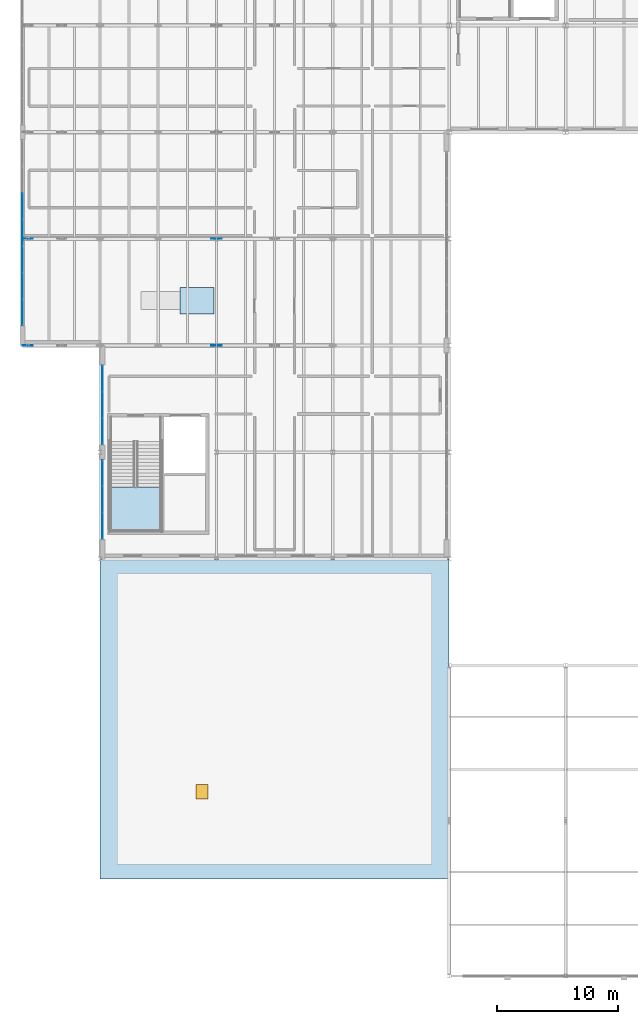
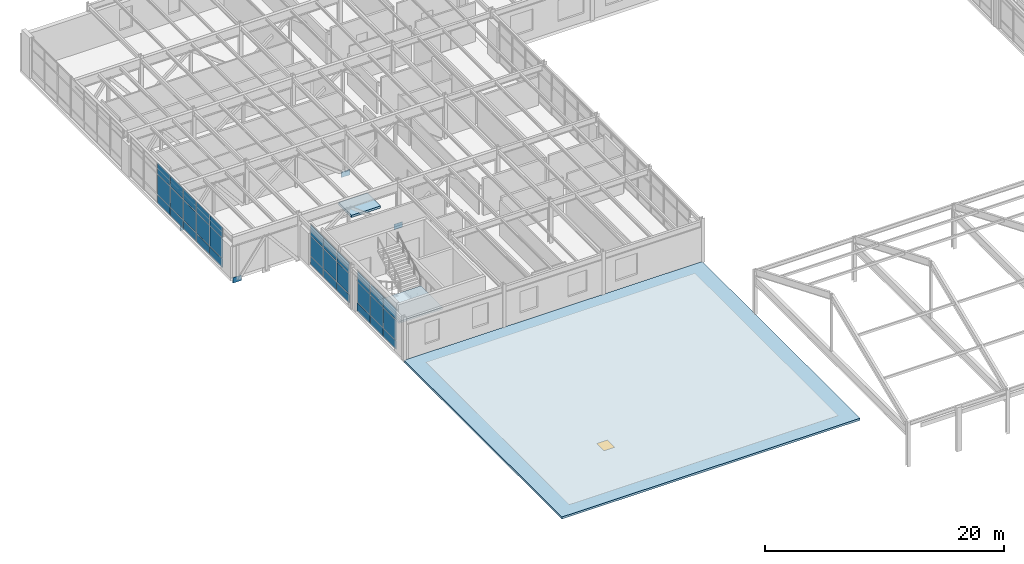
# One storey, part 49 of 88: 37 plates, 3 slabs, 1 door, 1 opening, 4 elements without a shape of their own.
"""IFC4 building model written with IfcOpenShell, lengths in metres."""

from ifc_helpers import new_model, si_unit, direction, frame, origin, origin_2d, place, context, subcontext, project, spatial, polyline, rectangle, outline, extrude, material, layer, layer_set, type_object, element, fill, aggregate, save


model = new_model("IFC4")

# Units and contexts
model_context = context("Model", 3, precision=1e-05, world=origin(), true_north=direction((0.0, 1.0)))
body_context = subcontext(model_context, "Body", "Model", "MODEL_VIEW")
ifc_project = project(units=[si_unit("LENGTHUNIT", "METRE"), si_unit("AREAUNIT", "SQUARE_METRE"), si_unit("VOLUMEUNIT", "CUBIC_METRE"), si_unit("PLANEANGLEUNIT", "RADIAN"), si_unit("MASSUNIT", "GRAM", prefix="KILO")], contexts=[model_context])

# Site, building, storey
site_placement = place(None, origin())
site = spatial("IfcSite", under=ifc_project, at=site_placement, CompositionType="ELEMENT")
building_placement = place(site_placement, origin())
building = spatial("IfcBuilding", under=site, at=building_placement, Name="Sarnbrook Museum", CompositionType="ELEMENT")
storey_placement = place(building_placement, frame((0.0, 0.0, 10.10009765625)))
storey = spatial("IfcBuildingStorey", under=building, at=storey_placement, Name="L02", CompositionType="ELEMENT", Elevation=10.10009765625)

# Curtain wall, plates
ifc_material_1 = material(Name="Thermally Broken Anodised Aluminium 6063-T6", Category="aluminium")
curtain_wall_type = type_object("IfcCurtainWallType", Name="CurtainWall_GalleryRibbon", PredefinedType="NOTDEFINED", material=ifc_material_1)
curtain_wall_1_placement = place(storey_placement, origin())
curtain_wall_1 = element("IfcCurtainWall", 1, at=curtain_wall_1_placement, inside=storey, type_object=curtain_wall_type, Name="Gallery Ribbon Curtain Wall L02-8.2", PredefinedType="NOTDEFINED")
ifc_material_2 = material(Name="Double-Glazed Low-Iron Laminated Safety Glass", Category="glass")
ifc_layer_1 = layer(ifc_material_2, 0.031982421875)
ifc_layer_set_1 = layer_set([ifc_layer_1], Name="Double-Glazed Low-Iron Laminated Safety Glass")
plate_type_1 = type_object("IfcPlateType", Name="CW_GlazedPanel_32", PredefinedType="CURTAIN_PANEL", material=ifc_layer_set_1)
plate_1_placement = place(storey_placement, frame((7.2177734375, 68.294189453125, 1.949951171875), z_axis=(-1.0, 0.0, 0.0), x_axis=(0.0, -1.0, 0.0)))
plate_1 = element("IfcPlate", 2, at=plate_1_placement, type_object=plate_type_1, Name="Gallery Ribbon Curtain Wall L02-8.2 Glazed Panel 3-2", PredefinedType="CURTAIN_PANEL", context=body_context, shape_type="SweptSolid", body=[
    extrude(rectangle(XDim=2.119384765625, YDim=2.030029296875, at=origin_2d()), origin(), (0.0, 0.0, 1.0), 0.031982421875),
])
plate_2_placement = place(storey_placement, frame((7.2177734375, 68.294189453125, 3.579833984375), z_axis=(-1.0, 0.0, 0.0), x_axis=(0.0, -1.0, 0.0)))
plate_2 = element("IfcPlate", 3, at=plate_2_placement, type_object=plate_type_1, Name="Gallery Ribbon Curtain Wall L02-8.2 Glazed Panel 3-3", PredefinedType="CURTAIN_PANEL", context=body_context, shape_type="SweptSolid", body=[
    extrude(rectangle(XDim=2.119384765625, YDim=1.090087890625, at=origin_2d()), origin(), (0.0, 0.0, 1.0), 0.031982421875),
])
plate_3_placement = place(storey_placement, frame((7.2177734375, 66.10009765625, 1.949951171875), z_axis=(-1.0, 0.0, 0.0), x_axis=(0.0, -1.0, 0.0)))
plate_3 = element("IfcPlate", 4, at=plate_3_placement, type_object=plate_type_1, Name="Gallery Ribbon Curtain Wall L02-8.2 Glazed Panel 4-2", PredefinedType="CURTAIN_PANEL", context=body_context, shape_type="SweptSolid", body=[
    extrude(rectangle(XDim=2.119384765625, YDim=2.030029296875, at=origin_2d()), origin(), (0.0, 0.0, 1.0), 0.031982421875),
])
plate_4_placement = place(storey_placement, frame((7.2177734375, 66.10009765625, 3.579833984375), z_axis=(-1.0, 0.0, 0.0), x_axis=(0.0, -1.0, 0.0)))
plate_4 = element("IfcPlate", 5, at=plate_4_placement, type_object=plate_type_1, Name="Gallery Ribbon Curtain Wall L02-8.2 Glazed Panel 4-3", PredefinedType="CURTAIN_PANEL", context=body_context, shape_type="SweptSolid", body=[
    extrude(rectangle(XDim=2.119384765625, YDim=1.090087890625, at=origin_2d()), origin(), (0.0, 0.0, 1.0), 0.031982421875),
])
plate_5_placement = place(storey_placement, frame((7.2177734375, 63.90576171875, 1.949951171875), z_axis=(-1.0, 0.0, 0.0), x_axis=(0.0, -1.0, 0.0)))
plate_5 = element("IfcPlate", 6, at=plate_5_placement, type_object=plate_type_1, Name="Gallery Ribbon Curtain Wall L02-8.2 Glazed Panel 5-2", PredefinedType="CURTAIN_PANEL", context=body_context, shape_type="SweptSolid", body=[
    extrude(rectangle(XDim=2.119384765625, YDim=2.030029296875, at=origin_2d()), origin(), (0.0, 0.0, 1.0), 0.031982421875),
])
plate_6_placement = place(storey_placement, frame((7.2177734375, 63.90576171875, 3.579833984375), z_axis=(-1.0, 0.0, 0.0), x_axis=(0.0, -1.0, 0.0)))
plate_6 = element("IfcPlate", 7, at=plate_6_placement, type_object=plate_type_1, Name="Gallery Ribbon Curtain Wall L02-8.2 Glazed Panel 5-3", PredefinedType="CURTAIN_PANEL", context=body_context, shape_type="SweptSolid", body=[
    extrude(rectangle(XDim=2.119384765625, YDim=1.090087890625, at=origin_2d()), origin(), (0.0, 0.0, 1.0), 0.031982421875),
])
plate_7_placement = place(storey_placement, frame((7.2177734375, 61.71142578125, 1.949951171875), z_axis=(-1.0, 0.0, 0.0), x_axis=(0.0, -1.0, 0.0)))
plate_7 = element("IfcPlate", 8, at=plate_7_placement, type_object=plate_type_1, Name="Gallery Ribbon Curtain Wall L02-8.2 Glazed Panel 6-2", PredefinedType="CURTAIN_PANEL", context=body_context, shape_type="SweptSolid", body=[
    extrude(rectangle(XDim=2.119384765625, YDim=2.030029296875, at=origin_2d()), origin(), (0.0, 0.0, 1.0), 0.031982421875),
])
plate_8_placement = place(storey_placement, frame((7.2177734375, 61.71142578125, 3.579833984375), z_axis=(-1.0, 0.0, 0.0), x_axis=(0.0, -1.0, 0.0)))
plate_8 = element("IfcPlate", 9, at=plate_8_placement, type_object=plate_type_1, Name="Gallery Ribbon Curtain Wall L02-8.2 Glazed Panel 6-3", PredefinedType="CURTAIN_PANEL", context=body_context, shape_type="SweptSolid", body=[
    extrude(rectangle(XDim=2.119384765625, YDim=1.090087890625, at=origin_2d()), origin(), (0.0, 0.0, 1.0), 0.031982421875),
])
plate_9_placement = place(storey_placement, frame((7.2177734375, 59.51708984375, 1.949951171875), z_axis=(-1.0, 0.0, 0.0), x_axis=(0.0, -1.0, 0.0)))
plate_9 = element("IfcPlate", 10, at=plate_9_placement, type_object=plate_type_1, Name="Gallery Ribbon Curtain Wall L02-8.2 Glazed Panel 7-2", PredefinedType="CURTAIN_PANEL", context=body_context, shape_type="SweptSolid", body=[
    extrude(rectangle(XDim=2.119384765625, YDim=2.030029296875, at=origin_2d()), origin(), (0.0, 0.0, 1.0), 0.031982421875),
])
plate_10_placement = place(storey_placement, frame((7.2177734375, 59.51708984375, 3.579833984375), z_axis=(-1.0, 0.0, 0.0), x_axis=(0.0, -1.0, 0.0)))
plate_10 = element("IfcPlate", 11, at=plate_10_placement, type_object=plate_type_1, Name="Gallery Ribbon Curtain Wall L02-8.2 Glazed Panel 7-3", PredefinedType="CURTAIN_PANEL", context=body_context, shape_type="SweptSolid", body=[
    extrude(rectangle(XDim=2.119384765625, YDim=1.090087890625, at=origin_2d()), origin(), (0.0, 0.0, 1.0), 0.031982421875),
])

curtain_wall_2_placement = place(storey_placement, origin())
curtain_wall_2 = element("IfcCurtainWall", 12, at=curtain_wall_2_placement, inside=storey, type_object=curtain_wall_type, Name="Gallery Ribbon Curtain Wall L02-10.1", PredefinedType="NOTDEFINED")
plate_11_placement = place(storey_placement, frame((13.81787109375, 54.086669921875, 1.949951171875), z_axis=(-1.0, 0.0, 0.0), x_axis=(0.0, -1.0, 0.0)))
plate_11 = element("IfcPlate", 13, at=plate_11_placement, type_object=plate_type_1, Name="Gallery Ribbon Curtain Wall L02-10.1 Glazed Panel 1-2", PredefinedType="CURTAIN_PANEL", context=body_context, shape_type="SweptSolid", body=[
    extrude(rectangle(XDim=2.11181640625, YDim=2.030029296875, at=origin_2d()), origin(), (0.0, 0.0, 1.0), 0.031982421875),
])
plate_12_placement = place(storey_placement, frame((13.81787109375, 54.086669921875, 3.579833984375), z_axis=(-1.0, 0.0, 0.0), x_axis=(0.0, -1.0, 0.0)))
plate_12 = element("IfcPlate", 14, at=plate_12_placement, type_object=plate_type_1, Name="Gallery Ribbon Curtain Wall L02-10.1 Glazed Panel 1-3", PredefinedType="CURTAIN_PANEL", context=body_context, shape_type="SweptSolid", body=[
    extrude(rectangle(XDim=2.11181640625, YDim=1.090087890625, at=origin_2d()), origin(), (0.0, 0.0, 1.0), 0.031982421875),
])
plate_13_placement = place(storey_placement, frame((13.81787109375, 51.89990234375, 1.949951171875), z_axis=(-1.0, 0.0, 0.0), x_axis=(0.0, -1.0, 0.0)))
plate_13 = element("IfcPlate", 15, at=plate_13_placement, type_object=plate_type_1, Name="Gallery Ribbon Curtain Wall L02-10.1 Glazed Panel 2-2", PredefinedType="CURTAIN_PANEL", context=body_context, shape_type="SweptSolid", body=[
    extrude(rectangle(XDim=2.11181640625, YDim=2.030029296875, at=origin_2d()), origin(), (0.0, 0.0, 1.0), 0.031982421875),
])
plate_14_placement = place(storey_placement, frame((13.81787109375, 51.89990234375, 3.579833984375), z_axis=(-1.0, 0.0, 0.0), x_axis=(0.0, -1.0, 0.0)))
plate_14 = element("IfcPlate", 16, at=plate_14_placement, type_object=plate_type_1, Name="Gallery Ribbon Curtain Wall L02-10.1 Glazed Panel 2-3", PredefinedType="CURTAIN_PANEL", context=body_context, shape_type="SweptSolid", body=[
    extrude(rectangle(XDim=2.11181640625, YDim=1.090087890625, at=origin_2d()), origin(), (0.0, 0.0, 1.0), 0.031982421875),
])
plate_15_placement = place(storey_placement, frame((13.81787109375, 49.71337890625, 1.949951171875), z_axis=(-1.0, 0.0, 0.0), x_axis=(0.0, -1.0, 0.0)))
plate_15 = element("IfcPlate", 17, at=plate_15_placement, type_object=plate_type_1, Name="Gallery Ribbon Curtain Wall L02-10.1 Glazed Panel 3-2", PredefinedType="CURTAIN_PANEL", context=body_context, shape_type="SweptSolid", body=[
    extrude(rectangle(XDim=2.11181640625, YDim=2.030029296875, at=origin_2d()), origin(), (0.0, 0.0, 1.0), 0.031982421875),
])
plate_16_placement = place(storey_placement, frame((13.81787109375, 49.71337890625, 3.579833984375), z_axis=(-1.0, 0.0, 0.0), x_axis=(0.0, -1.0, 0.0)))
plate_16 = element("IfcPlate", 18, at=plate_16_placement, type_object=plate_type_1, Name="Gallery Ribbon Curtain Wall L02-10.1 Glazed Panel 3-3", PredefinedType="CURTAIN_PANEL", context=body_context, shape_type="SweptSolid", body=[
    extrude(rectangle(XDim=2.11181640625, YDim=1.090087890625, at=origin_2d()), origin(), (0.0, 0.0, 1.0), 0.031982421875),
])

curtain_wall_3_placement = place(storey_placement, origin())
curtain_wall_3 = element("IfcCurtainWall", 19, at=curtain_wall_3_placement, inside=storey, type_object=curtain_wall_type, Name="Gallery Ribbon Curtain Wall L02-10.2", PredefinedType="NOTDEFINED")
plate_17_placement = place(storey_placement, frame((13.81787109375, 46.28662109375, 1.949951171875), z_axis=(-1.0, 0.0, 0.0), x_axis=(0.0, -1.0, 0.0)))
plate_17 = element("IfcPlate", 20, at=plate_17_placement, type_object=plate_type_1, Name="Gallery Ribbon Curtain Wall L02-10.2 Glazed Panel 1-2", PredefinedType="CURTAIN_PANEL", context=body_context, shape_type="SweptSolid", body=[
    extrude(rectangle(XDim=2.11181640625, YDim=2.030029296875, at=origin_2d()), origin(), (0.0, 0.0, 1.0), 0.031982421875),
])
plate_18_placement = place(storey_placement, frame((13.81787109375, 46.28662109375, 3.579833984375), z_axis=(-1.0, 0.0, 0.0), x_axis=(0.0, -1.0, 0.0)))
plate_18 = element("IfcPlate", 21, at=plate_18_placement, type_object=plate_type_1, Name="Gallery Ribbon Curtain Wall L02-10.2 Glazed Panel 1-3", PredefinedType="CURTAIN_PANEL", context=body_context, shape_type="SweptSolid", body=[
    extrude(rectangle(XDim=2.11181640625, YDim=1.090087890625, at=origin_2d()), origin(), (0.0, 0.0, 1.0), 0.031982421875),
])
plate_19_placement = place(storey_placement, frame((13.81787109375, 44.10009765625, 1.949951171875), z_axis=(-1.0, 0.0, 0.0), x_axis=(0.0, -1.0, 0.0)))
plate_19 = element("IfcPlate", 22, at=plate_19_placement, type_object=plate_type_1, Name="Gallery Ribbon Curtain Wall L02-10.2 Glazed Panel 2-2", PredefinedType="CURTAIN_PANEL", context=body_context, shape_type="SweptSolid", body=[
    extrude(rectangle(XDim=2.11181640625, YDim=2.030029296875, at=origin_2d()), origin(), (0.0, 0.0, 1.0), 0.031982421875),
])
plate_20_placement = place(storey_placement, frame((13.81787109375, 44.10009765625, 3.579833984375), z_axis=(-1.0, 0.0, 0.0), x_axis=(0.0, -1.0, 0.0)))
plate_20 = element("IfcPlate", 23, at=plate_20_placement, type_object=plate_type_1, Name="Gallery Ribbon Curtain Wall L02-10.2 Glazed Panel 2-3", PredefinedType="CURTAIN_PANEL", context=body_context, shape_type="SweptSolid", body=[
    extrude(rectangle(XDim=2.11181640625, YDim=1.090087890625, at=origin_2d()), origin(), (0.0, 0.0, 1.0), 0.031982421875),
])
plate_21_placement = place(storey_placement, frame((13.81787109375, 41.913330078125, 1.949951171875), z_axis=(-1.0, 0.0, 0.0), x_axis=(0.0, -1.0, 0.0)))
plate_21 = element("IfcPlate", 24, at=plate_21_placement, type_object=plate_type_1, Name="Gallery Ribbon Curtain Wall L02-10.2 Glazed Panel 3-2", PredefinedType="CURTAIN_PANEL", context=body_context, shape_type="SweptSolid", body=[
    extrude(rectangle(XDim=2.11181640625, YDim=2.030029296875, at=origin_2d()), origin(), (0.0, 0.0, 1.0), 0.031982421875),
])
plate_22_placement = place(storey_placement, frame((13.81787109375, 41.913330078125, 3.579833984375), z_axis=(-1.0, 0.0, 0.0), x_axis=(0.0, -1.0, 0.0)))
plate_22 = element("IfcPlate", 25, at=plate_22_placement, type_object=plate_type_1, Name="Gallery Ribbon Curtain Wall L02-10.2 Glazed Panel 3-3", PredefinedType="CURTAIN_PANEL", context=body_context, shape_type="SweptSolid", body=[
    extrude(rectangle(XDim=2.11181640625, YDim=1.090087890625, at=origin_2d()), origin(), (0.0, 0.0, 1.0), 0.031982421875),
])

# Plate
ifc_material_3 = material(Name="Patinated Architectural Bronze")
ifc_layer_2 = layer(ifc_material_3, 0.044921875)
ifc_layer_set_2 = layer_set([ifc_layer_2], Name="Patinated Architectural Bronze")
plate_type_2 = type_object("IfcPlateType", Name="CW_SpandrelPanel_45", PredefinedType="CURTAIN_PANEL", material=ifc_layer_set_2)
plate_23_placement = place(storey_placement, frame((7.224365234375, 68.294189453125, 0.449951171875), z_axis=(-1.0, 0.0, 0.0), x_axis=(0.0, -1.0, 0.0)))
plate_23 = element("IfcPlate", 26, at=plate_23_placement, type_object=plate_type_2, Name="Gallery Ribbon Curtain Wall L02-8.2 Spandrel Panel 3-1", PredefinedType="CURTAIN_PANEL", context=body_context, shape_type="SweptSolid", body=[
    extrude(rectangle(XDim=2.119384765625, YDim=0.830078125, at=origin_2d()), origin(), (0.0, 0.0, 1.0), 0.044921875),
])

plate_24_placement = place(storey_placement, frame((7.224365234375, 66.10009765625, 0.449951171875), z_axis=(-1.0, 0.0, 0.0), x_axis=(0.0, -1.0, 0.0)))
plate_24 = element("IfcPlate", 27, at=plate_24_placement, type_object=plate_type_2, Name="Gallery Ribbon Curtain Wall L02-8.2 Spandrel Panel 4-1", PredefinedType="CURTAIN_PANEL", context=body_context, shape_type="SweptSolid", body=[
    extrude(rectangle(XDim=2.119384765625, YDim=0.830078125, at=origin_2d()), origin(), (0.0, 0.0, 1.0), 0.044921875),
])

plate_25_placement = place(storey_placement, frame((7.224365234375, 63.90576171875, 0.449951171875), z_axis=(-1.0, 0.0, 0.0), x_axis=(0.0, -1.0, 0.0)))
plate_25 = element("IfcPlate", 28, at=plate_25_placement, type_object=plate_type_2, Name="Gallery Ribbon Curtain Wall L02-8.2 Spandrel Panel 5-1", PredefinedType="CURTAIN_PANEL", context=body_context, shape_type="SweptSolid", body=[
    extrude(rectangle(XDim=2.119384765625, YDim=0.830078125, at=origin_2d()), origin(), (0.0, 0.0, 1.0), 0.044921875),
])

plate_26_placement = place(storey_placement, frame((7.224365234375, 61.71142578125, 0.449951171875), z_axis=(-1.0, 0.0, 0.0), x_axis=(0.0, -1.0, 0.0)))
plate_26 = element("IfcPlate", 29, at=plate_26_placement, type_object=plate_type_2, Name="Gallery Ribbon Curtain Wall L02-8.2 Spandrel Panel 6-1", PredefinedType="CURTAIN_PANEL", context=body_context, shape_type="SweptSolid", body=[
    extrude(rectangle(XDim=2.119384765625, YDim=0.830078125, at=origin_2d()), origin(), (0.0, 0.0, 1.0), 0.044921875),
])

plate_27_placement = place(storey_placement, frame((7.224365234375, 59.51708984375, 0.449951171875), z_axis=(-1.0, 0.0, 0.0), x_axis=(0.0, -1.0, 0.0)))
plate_27 = element("IfcPlate", 30, at=plate_27_placement, type_object=plate_type_2, Name="Gallery Ribbon Curtain Wall L02-8.2 Spandrel Panel 7-1", PredefinedType="CURTAIN_PANEL", context=body_context, shape_type="SweptSolid", body=[
    extrude(rectangle(XDim=2.119384765625, YDim=0.830078125, at=origin_2d()), origin(), (0.0, 0.0, 1.0), 0.044921875),
])

aggregate(curtain_wall_1, [plate_23, plate_1, plate_2, plate_24, plate_3, plate_4, plate_25, plate_5, plate_6, plate_26, plate_7, plate_8, plate_27, plate_9, plate_10])

plate_28_placement = place(storey_placement, frame((13.824462890625, 54.086669921875, 0.449951171875), z_axis=(-1.0, 0.0, 0.0), x_axis=(0.0, -1.0, 0.0)))
plate_28 = element("IfcPlate", 31, at=plate_28_placement, type_object=plate_type_2, Name="Gallery Ribbon Curtain Wall L02-10.1 Spandrel Panel 1-1", PredefinedType="CURTAIN_PANEL", context=body_context, shape_type="SweptSolid", body=[
    extrude(rectangle(XDim=2.11181640625, YDim=0.830078125, at=origin_2d()), origin(), (0.0, 0.0, 1.0), 0.044921875),
])

plate_29_placement = place(storey_placement, frame((13.824462890625, 51.89990234375, 0.449951171875), z_axis=(-1.0, 0.0, 0.0), x_axis=(0.0, -1.0, 0.0)))
plate_29 = element("IfcPlate", 32, at=plate_29_placement, type_object=plate_type_2, Name="Gallery Ribbon Curtain Wall L02-10.1 Spandrel Panel 2-1", PredefinedType="CURTAIN_PANEL", context=body_context, shape_type="SweptSolid", body=[
    extrude(rectangle(XDim=2.11181640625, YDim=0.830078125, at=origin_2d()), origin(), (0.0, 0.0, 1.0), 0.044921875),
])

plate_30_placement = place(storey_placement, frame((13.824462890625, 49.71337890625, 0.449951171875), z_axis=(-1.0, 0.0, 0.0), x_axis=(0.0, -1.0, 0.0)))
plate_30 = element("IfcPlate", 33, at=plate_30_placement, type_object=plate_type_2, Name="Gallery Ribbon Curtain Wall L02-10.1 Spandrel Panel 3-1", PredefinedType="CURTAIN_PANEL", context=body_context, shape_type="SweptSolid", body=[
    extrude(rectangle(XDim=2.11181640625, YDim=0.830078125, at=origin_2d()), origin(), (0.0, 0.0, 1.0), 0.044921875),
])

aggregate(curtain_wall_2, [plate_28, plate_11, plate_12, plate_29, plate_13, plate_14, plate_30, plate_15, plate_16])

plate_31_placement = place(storey_placement, frame((13.824462890625, 46.28662109375, 0.449951171875), z_axis=(-1.0, 0.0, 0.0), x_axis=(0.0, -1.0, 0.0)))
plate_31 = element("IfcPlate", 34, at=plate_31_placement, type_object=plate_type_2, Name="Gallery Ribbon Curtain Wall L02-10.2 Spandrel Panel 1-1", PredefinedType="CURTAIN_PANEL", context=body_context, shape_type="SweptSolid", body=[
    extrude(rectangle(XDim=2.11181640625, YDim=0.830078125, at=origin_2d()), origin(), (0.0, 0.0, 1.0), 0.044921875),
])

plate_32_placement = place(storey_placement, frame((13.824462890625, 44.10009765625, 0.449951171875), z_axis=(-1.0, 0.0, 0.0), x_axis=(0.0, -1.0, 0.0)))
plate_32 = element("IfcPlate", 35, at=plate_32_placement, type_object=plate_type_2, Name="Gallery Ribbon Curtain Wall L02-10.2 Spandrel Panel 2-1", PredefinedType="CURTAIN_PANEL", context=body_context, shape_type="SweptSolid", body=[
    extrude(rectangle(XDim=2.11181640625, YDim=0.830078125, at=origin_2d()), origin(), (0.0, 0.0, 1.0), 0.044921875),
])

plate_33_placement = place(storey_placement, frame((13.824462890625, 41.913330078125, 0.449951171875), z_axis=(-1.0, 0.0, 0.0), x_axis=(0.0, -1.0, 0.0)))
plate_33 = element("IfcPlate", 36, at=plate_33_placement, type_object=plate_type_2, Name="Gallery Ribbon Curtain Wall L02-10.2 Spandrel Panel 3-1", PredefinedType="CURTAIN_PANEL", context=body_context, shape_type="SweptSolid", body=[
    extrude(rectangle(XDim=2.11181640625, YDim=0.830078125, at=origin_2d()), origin(), (0.0, 0.0, 1.0), 0.044921875),
])

aggregate(curtain_wall_3, [plate_31, plate_17, plate_18, plate_32, plate_19, plate_20, plate_33, plate_21, plate_22])

# Plates
ifc_material_4 = material(Name="Structural Steel Grade 350L0 (AS/NZS 3678, fy = 340 MPa for 20 < t <= 40 mm)", Category="steel")
ifc_layer_3 = layer(ifc_material_4, 0.031982421875)
ifc_layer_set_3 = layer_set([ifc_layer_3], Name="Structural Steel Grade 350L0 (AS/NZS 3678, fy = 340 MPa for 20 < t <= 40 mm)")
plate_type_3 = type_object("IfcPlateType", Name="GussetPlate_KN3", PredefinedType="USERDEFINED", material=ifc_layer_set_3)
for number, where, z_axis, x_axis, name in (
    (37, (23.199951171875, 56.800048828125, -0.580078125), (0.0, 0.0, 1.0), (1.0, 0.0, 0.0), "Transfer Truss Node Gusset Plate KN-3 TT1-B2"),
    (38, (7.64990234375, 56.800048828125, -0.580078125), (0.0, 0.0, 1.0), (1.0, 0.0, 0.0), "Transfer Truss Node Gusset Plate KN-3 TT1-B6"),
    (39, (23.199951171875, 65.60009765625, -0.580078125), (0.0, 0.0, 1.0), (1.0, 0.0, 0.0), "Transfer Truss Node Gusset Plate KN-3 TT2-B2"),
    (40, (7.64990234375, 65.60009765625, -0.580078125), (0.0, 0.0, 1.0), (1.0, 0.0, 0.0), "Transfer Truss Node Gusset Plate KN-3 TT2-B6"),
):
    element("IfcPlate", number, at=place(storey_placement, frame(where, z_axis=z_axis, x_axis=x_axis)), inside=storey, type_object=plate_type_3, Name=name, ObjectType="GUSSET PLATE", PredefinedType="USERDEFINED", context=body_context, shape_type="SweptSolid", body=[
        extrude(rectangle(XDim=0.840087890625, YDim=0.031982421875, at=origin_2d()), origin(), (0.0, 0.0, 1.0), 0.56005859375),
    ])

# Stair, slab
ifc_material_5 = material(Name="Concrete N40 (AS 3600, f'c = 40 MPa)", Category="concrete")
stair_type = type_object("IfcStairType", Name="Stair_ST07", PredefinedType="HALF_TURN_STAIR", material=ifc_material_5)
stair_placement = place(storey_placement, origin())
stair = element("IfcStair", 41, at=stair_placement, inside=storey, type_object=stair_type, Name="L02 Exit Stair ST5", PredefinedType="HALF_TURN_STAIR")
ifc_layer_4 = layer(ifc_material_5, 0.199951171875)
ifc_layer_set_4 = layer_set([ifc_layer_4], Name="Concrete N40 (AS 3600, f'c = 40 MPa)")
slab_type_1 = type_object("IfcSlabType", Name="Landing_200", PredefinedType="LANDING", material=ifc_layer_set_4)
slab_1_placement = place(storey_placement, frame((0.0, 0.0, 2.0498046875)))
slab_1 = element("IfcSlab", 42, at=slab_1_placement, type_object=slab_type_1, Name="ST5 landing 1", PredefinedType="LANDING", context=body_context, shape_type="SweptSolid", body=[
    extrude(outline(polyline([(14.43994140625, 45.110107421875), (14.43994140625, 41.5), (18.639892578125, 41.5), (18.639892578125, 45.110107421875), (14.43994140625, 45.110107421875)])), origin(), (0.0, 0.0, 1.0), 0.2001953125),
])
aggregate(stair, [slab_1])

# Slab
ifc_layer_5 = layer(ifc_material_5, 0.219970703125)
ifc_layer_set_5 = layer_set([ifc_layer_5], Name="Concrete N40 (AS 3600, f'c = 40 MPa)")
slab_type_2 = type_object("IfcSlabType", Name="PlinthSlab_220", PredefinedType="FLOOR", material=ifc_layer_set_5)
slab_2_placement = place(storey_placement, origin())
element("IfcSlab", 43, at=slab_2_placement, inside=storey, type_object=slab_type_2, Name="Accessible Exhibition Plinth Landing AR5", PredefinedType="FLOOR", context=body_context, shape_type="SweptSolid", body=[
    extrude(outline(polyline([(20.199951171875, 59.39990234375), (23.0, 59.39990234375), (23.0, 61.60009765625), (20.199951171875, 61.60009765625), (20.199951171875, 59.39990234375)])), origin(), (0.0, 0.0, 1.0), 0.219970703125),
])

# Slab, opening, door
ifc_layer_6 = layer(ifc_material_5, 0.2099609375)
ifc_layer_set_6 = layer_set([ifc_layer_6], Name="Concrete N40 (AS 3600, f'c = 40 MPa)")
slab_type_3 = type_object("IfcSlabType", Name="RoofSlab_Zinc210", PredefinedType="ROOF", material=ifc_layer_set_6)
slab_3_placement = place(storey_placement, frame((0.0, 0.0, -0.210205078125)))
slab_3 = element("IfcSlab", 44, at=slab_3_placement, inside=storey, type_object=slab_type_3, Name="South-West Conservation Roof Slab L02", PredefinedType="ROOF", context=body_context, shape_type="SweptSolid", body=[
    extrude(outline(polyline([(42.39990234375, 12.800048828125), (13.60009765625, 12.800048828125), (13.60009765625, 39.196044921875), (42.39990234375, 39.196044921875), (42.39990234375, 12.800048828125)])), origin(), (0.0, 0.0, 1.0), 0.210205078125),
])
opening_placement = place(slab_3_placement, frame((22.0, 20.0, -0.010009765625)))
opening = element("IfcOpeningElement", 45, at=opening_placement, cuts=slab_3, Name="Opening RH-04", PredefinedType="OPENING", context=body_context, shape_type="SweptSolid", body=[
    extrude(rectangle(XDim=1.0, YDim=1.199951171875, at=origin_2d()), origin(), (0.0, 0.0, 1.0), 0.230224609375),
])
ifc_material_6 = material(Name="Brushed Stainless Steel Grade 316", Category="steel")
door_type = type_object("IfcDoorType", Name="HatchType_HT2", OperationType="SINGLE_SWING_LEFT", PredefinedType="TRAPDOOR", material=ifc_material_6)
door_placement = place(opening_placement, frame((0.0, 0.0, 0.18017578125)))
door = element("IfcDoor", 46, at=door_placement, inside=storey, type_object=door_type, Name="Roof Maintenance Access Hatch RH-04", OperationType="SINGLE_SWING_LEFT", OverallHeight=1.199951171875, OverallWidth=1.0, PredefinedType="TRAPDOOR", context=body_context, shape_type="SweptSolid", body=[
    extrude(rectangle(XDim=1.0, YDim=1.199951171875, at=origin_2d()), origin(), (0.0, 0.0, 1.0), 0.0400390625),
])
fill(opening, door)

save(model, "model.ifc")
